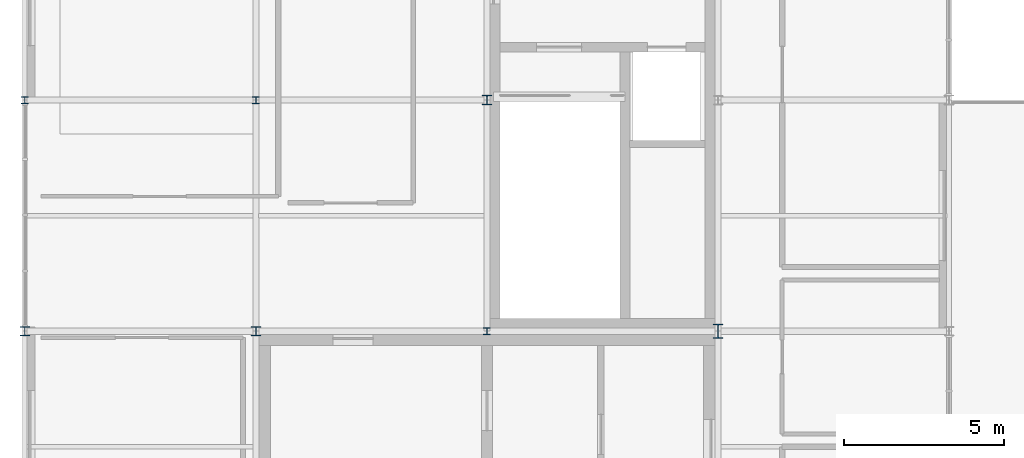
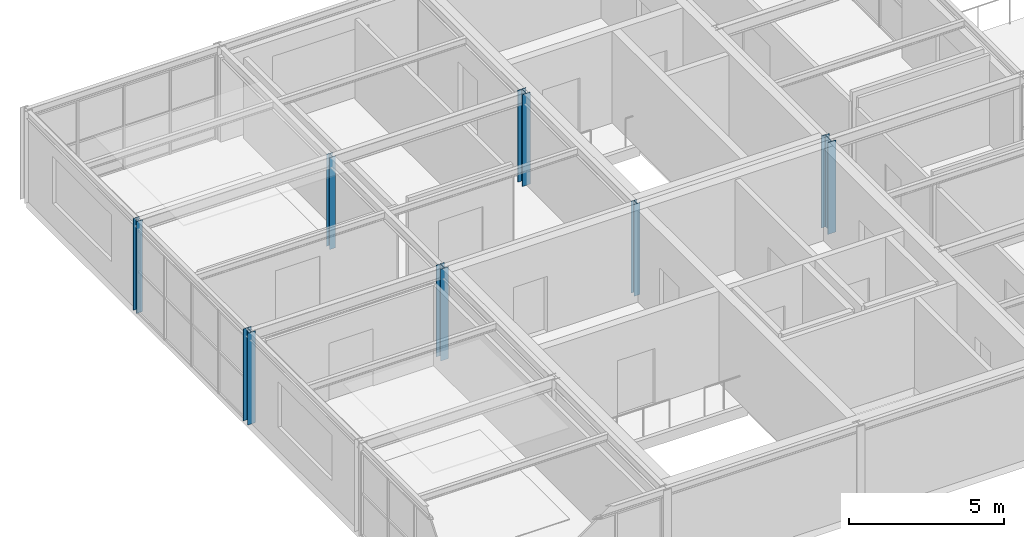
# One storey, part 2 of 12: 7 columns.
"""IFC4 building model written with IfcOpenShell, lengths in metres."""

from ifc_helpers import new_model, si_unit, direction, frame, origin, origin_2d, place, context, subcontext, project, spatial, i_section, extrude, material, material_profile, profile_set, type_object, element, save


model = new_model("IFC4")

# Units and contexts
model_context = context("Model", 3, precision=1e-05, world=origin(), true_north=direction((0.0, 1.0)))
body_context = subcontext(model_context, "Body", "Model", "MODEL_VIEW")
ifc_project = project(units=[si_unit("LENGTHUNIT", "METRE"), si_unit("AREAUNIT", "SQUARE_METRE"), si_unit("VOLUMEUNIT", "CUBIC_METRE"), si_unit("PLANEANGLEUNIT", "RADIAN"), si_unit("MASSUNIT", "GRAM", prefix="KILO")], contexts=[model_context])

# Site, building, storey
site_placement = place(None, origin())
site = spatial("IfcSite", under=ifc_project, at=site_placement, CompositionType="ELEMENT")
building_placement = place(site_placement, origin())
building = spatial("IfcBuilding", under=site, at=building_placement, Name="Leyfeld Transit Interchange", CompositionType="ELEMENT")
storey_placement = place(building_placement, frame((0.0, 0.0, 21.60009765625)))
storey = spatial("IfcBuildingStorey", under=building, at=storey_placement, Name="L05", CompositionType="ELEMENT", Elevation=21.60009765625)

# Columns
ifc_material = material(Name="Steel S355J2", Category="steel")
ifc_material_profile_1 = material_profile(ifc_material, i_section(OverallWidth=0.219970703125, OverallDepth=0.2099609375, WebThickness=0.007080078125, FlangeThickness=0.010986328125, FilletRadius=0.01806640625, at=origin_2d()), Name="HEA 220")
ifc_profile_set_1 = profile_set([ifc_material_profile_1], Name="Steel S355J2")
column_type_1 = type_object("IfcColumnType", Name="COL-CAT-03", PredefinedType="COLUMN", material=ifc_profile_set_1)
column_1_placement = place(storey_placement, frame((14.39990234375, 108.0, 0.0), z_axis=(0.0, 0.0, 1.0), x_axis=(1.0, 0.0, 0.0)))
element("IfcColumn", 1, at=column_1_placement, inside=storey, type_object=column_type_1, Name="Column COL-L05-0144_1080", PredefinedType="COLUMN", context=body_context, shape_type="SweptSolid", body=[
    extrude(i_section(OverallWidth=0.219970703125, OverallDepth=0.2099609375, WebThickness=0.007080078125, FlangeThickness=0.010986328125, FilletRadius=0.01806640625, at=origin_2d()), origin(), (0.0, 0.0, 1.0), 3.619873046875),
])
ifc_material_profile_2 = material_profile(ifc_material, i_section(OverallWidth=0.300048828125, OverallDepth=0.2900390625, WebThickness=0.008544921875, FlangeThickness=0.013916015625, FilletRadius=0.027099609375, at=origin_2d()), Name="HEA 300")
ifc_profile_set_2 = profile_set([ifc_material_profile_2], Name="Steel S355J2")
column_type_2 = type_object("IfcColumnType", Name="COL-CAT-05", PredefinedType="COLUMN", material=ifc_profile_set_2)
for number, where, z_axis, x_axis, name in (
    (2, (0.0, 108.0, 0.0), (0.0, 0.0, 1.0), (1.0, 0.0, 0.0), "Column COL-L05-0000_1080"),
    (3, (7.199951171875, 108.0, 0.0), (0.0, 0.0, 1.0), (1.0, 0.0, 0.0), "Column COL-L05-0072_1080"),
):
    element("IfcColumn", number, at=place(storey_placement, frame(where, z_axis=z_axis, x_axis=x_axis)), inside=storey, type_object=column_type_2, Name=name, PredefinedType="COLUMN", context=body_context, shape_type="SweptSolid", body=[
        extrude(i_section(OverallWidth=0.300048828125, OverallDepth=0.2900390625, WebThickness=0.008544921875, FlangeThickness=0.013916015625, FilletRadius=0.027099609375, at=origin_2d()), origin(), (0.0, 0.0, 1.0), 3.619873046875),
    ])
ifc_material_profile_3 = material_profile(ifc_material, i_section(OverallWidth=0.300048828125, OverallDepth=0.43994140625, WebThickness=0.011474609375, FlangeThickness=0.02099609375, FilletRadius=0.027099609375, at=origin_2d()), Name="HEA 450")
ifc_profile_set_3 = profile_set([ifc_material_profile_3], Name="Steel S355J2")
column_type_3 = type_object("IfcColumnType", Name="COL-CAT-07", PredefinedType="COLUMN", material=ifc_profile_set_3)
column_2_placement = place(storey_placement, frame((21.60009765625, 108.0, 0.0), z_axis=(0.0, 0.0, 1.0), x_axis=(1.0, 0.0, 0.0)))
element("IfcColumn", 4, at=column_2_placement, inside=storey, type_object=column_type_3, Name="Column COL-L05-0216_1080", PredefinedType="COLUMN", context=body_context, shape_type="SweptSolid", body=[
    extrude(i_section(OverallWidth=0.300048828125, OverallDepth=0.43994140625, WebThickness=0.011474609375, FlangeThickness=0.02099609375, FilletRadius=0.027099609375, at=origin_2d()), origin(), (0.0, 0.0, 1.0), 3.619873046875),
])
ifc_material_profile_4 = material_profile(ifc_material, i_section(OverallWidth=0.219970703125, OverallDepth=0.219970703125, WebThickness=0.009521484375, FlangeThickness=0.01611328125, FilletRadius=0.01806640625, at=origin_2d()), Name="HEB 220")
ifc_profile_set_4 = profile_set([ifc_material_profile_4], Name="Steel S355J2")
column_type_4 = type_object("IfcColumnType", Name="COL-CAT-11", PredefinedType="COLUMN", material=ifc_profile_set_4)
for number, where, z_axis, x_axis, name in (
    (5, (0.0, 115.199951171875, 0.0), (0.0, 0.0, 1.0), (1.0, 0.0, 0.0), "Column COL-L05-0000_1152"),
    (6, (7.199951171875, 115.199951171875, 0.0), (0.0, 0.0, 1.0), (1.0, 0.0, 0.0), "Column COL-L05-0072_1152"),
):
    element("IfcColumn", number, at=place(storey_placement, frame(where, z_axis=z_axis, x_axis=x_axis)), inside=storey, type_object=column_type_4, Name=name, PredefinedType="COLUMN", context=body_context, shape_type="SweptSolid", body=[
        extrude(i_section(OverallWidth=0.219970703125, OverallDepth=0.219970703125, WebThickness=0.009521484375, FlangeThickness=0.01611328125, FilletRadius=0.01806640625, at=origin_2d()), origin(), (0.0, 0.0, 1.0), 3.619873046875),
    ])
ifc_material_profile_5 = material_profile(ifc_material, i_section(OverallWidth=0.300048828125, OverallDepth=0.300048828125, WebThickness=0.010986328125, FlangeThickness=0.01904296875, FilletRadius=0.027099609375, at=origin_2d()), Name="HEB 300")
ifc_profile_set_5 = profile_set([ifc_material_profile_5], Name="Steel S355J2")
column_type_5 = type_object("IfcColumnType", Name="COL-STL-HEB300", PredefinedType="COLUMN", material=ifc_profile_set_5)
column_3_placement = place(storey_placement, frame((14.39990234375, 115.199951171875, 0.0), z_axis=(0.0, 0.0, 1.0), x_axis=(1.0, 0.0, 0.0)))
element("IfcColumn", 7, at=column_3_placement, inside=storey, type_object=column_type_5, Name="Column COL-L05-0144_1152", PredefinedType="COLUMN", context=body_context, shape_type="SweptSolid", body=[
    extrude(i_section(OverallWidth=0.300048828125, OverallDepth=0.300048828125, WebThickness=0.010986328125, FlangeThickness=0.01904296875, FilletRadius=0.027099609375, at=origin_2d()), origin(), (0.0, 0.0, 1.0), 3.619873046875),
])

save(model, "model.ifc")
